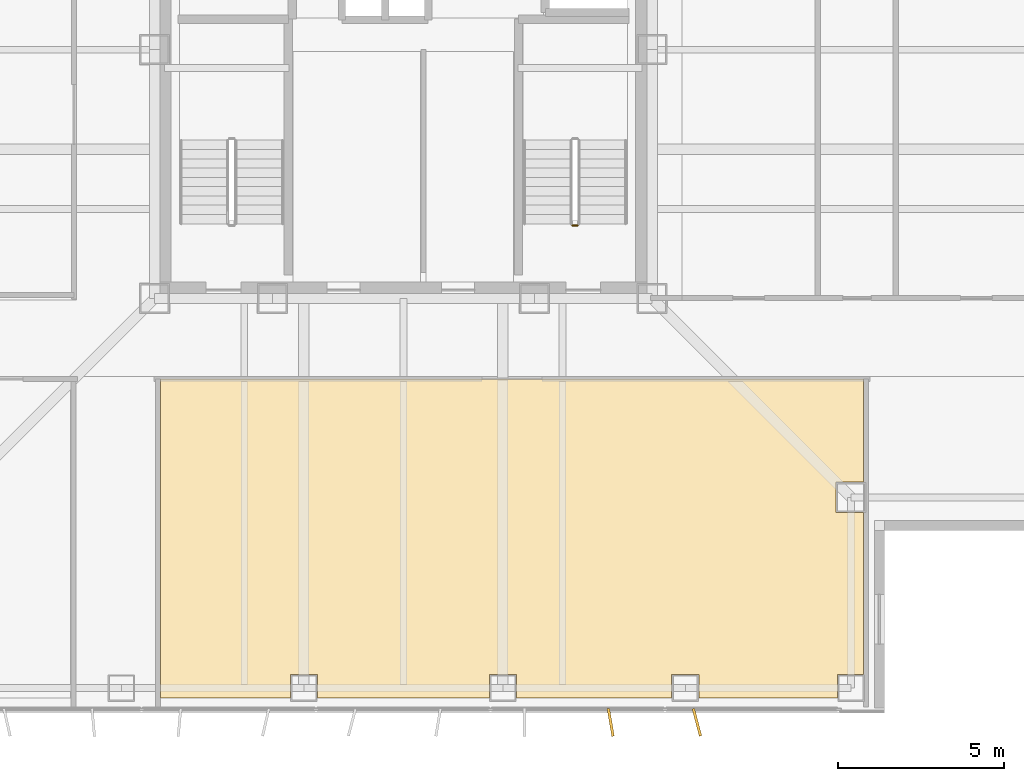
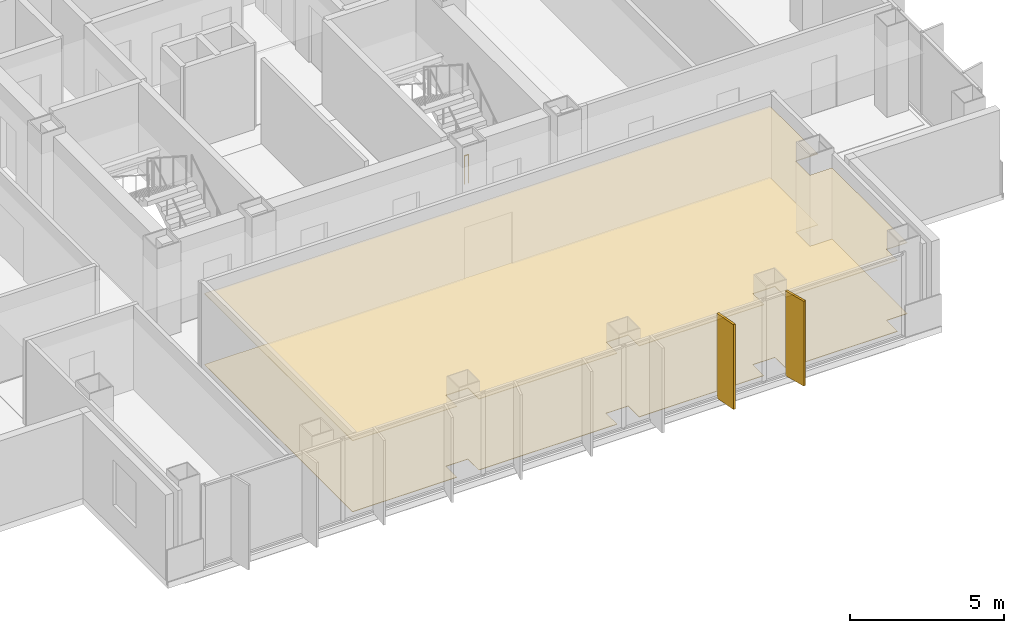
# One storey, part 13 of 17: 2 coverings, 2 shading devices, 1 railing.
"""IFC4 building model written with IfcOpenShell, lengths in metres."""

from ifc_helpers import new_model, si_unit, direction, frame, origin, origin_2d, place, context, subcontext, project, spatial, polyline, rectangle, circle, outline, extrude, material, layer, layer_set, type_object, element, save


model = new_model("IFC4")

# Units and contexts
model_context = context("Model", 3, precision=1e-05, world=origin(), true_north=direction((0.0, 1.0)))
body_context = subcontext(model_context, "Body", "Model", "MODEL_VIEW")
ifc_project = project(units=[si_unit("LENGTHUNIT", "METRE"), si_unit("AREAUNIT", "SQUARE_METRE"), si_unit("VOLUMEUNIT", "CUBIC_METRE"), si_unit("PLANEANGLEUNIT", "RADIAN"), si_unit("MASSUNIT", "GRAM", prefix="KILO")], contexts=[model_context])

# Site, building, storey
site_placement = place(None, origin())
site = spatial("IfcSite", under=ifc_project, at=site_placement, CompositionType="ELEMENT")
building_placement = place(site_placement, origin())
building = spatial("IfcBuilding", under=site, at=building_placement, Name="Trevonay Congress Spire", CompositionType="ELEMENT")
storey_placement = place(building_placement, frame((0.0, 0.0, 184.199951171875)))
storey = spatial("IfcBuildingStorey", under=building, at=storey_placement, Name="L47", CompositionType="ELEMENT", Elevation=184.199951171875)

# Coverings
ifc_material_1 = material(Name="Acoustic Mineral Fibre Board", Category="gypsum")
ifc_layer_1 = layer(ifc_material_1, 0.02490234375, Name="Acoustic Mineral Fibre Board")
ifc_layer_set_1 = layer_set([ifc_layer_1], Name="Acoustic Mineral Fibre Board")
covering_type_1 = type_object("IfcCoveringType", Name="COV-CEIL-ACOUSTIC", PredefinedType="CEILING", material=ifc_layer_set_1)
covering_1_placement = place(storey_placement, frame((0.0, 0.0, 2.81005859375)))
element("IfcCovering", 1, at=covering_1_placement, inside=storey, type_object=covering_type_1, Name="L47 Grand International Arbitration Hearing Hall acoustic suspended ceiling", PredefinedType="CEILING", context=body_context, shape_type="SweptSolid", body=[
    extrude(outline(polyline([(-7.320068359375, -19.550048828125), (-7.320068359375, -9.929931640625), (13.8701171875, -9.929931640625), (13.8701171875, -13.0400390625), (13.0400390625, -13.0400390625), (13.0400390625, -13.9599609375), (13.8701171875, -13.9599609375), (13.8701171875, -18.840087890625), (13.090087890625, -18.840087890625), (13.090087890625, -19.550048828125), (8.909912109375, -19.550048828125), (8.909912109375, -18.840087890625), (8.090087890625, -18.840087890625), (8.090087890625, -19.550048828125), (3.409912109375, -19.550048828125), (3.409912109375, -18.840087890625), (2.590087890625, -18.840087890625), (2.590087890625, -19.550048828125), (-2.590087890625, -19.550048828125), (-2.590087890625, -18.840087890625), (-3.409912109375, -18.840087890625), (-3.409912109375, -19.550048828125), (-7.320068359375, -19.550048828125)])), origin(), (0.0, 0.0, 1.0), 0.02490234375),
])
ifc_material_2 = material(Name="Engineered Oak Flooring", Category="wood")
ifc_layer_2 = layer(ifc_material_2, 0.01806640625, Name="Engineered Oak Flooring")
ifc_layer_set_2 = layer_set([ifc_layer_2], Name="Engineered Oak Flooring")
covering_type_2 = type_object("IfcCoveringType", Name="COV-FLOOR-TIMBER", PredefinedType="FLOORING", material=ifc_layer_set_2)
covering_2_placement = place(storey_placement, origin())
element("IfcCovering", 2, at=covering_2_placement, inside=storey, type_object=covering_type_2, Name="L47 Grand International Arbitration Hearing Hall floor finish", PredefinedType="FLOORING", context=body_context, shape_type="SweptSolid", body=[
    extrude(outline(polyline([(-7.320068359375, -19.550048828125), (-7.320068359375, -9.929931640625), (13.8701171875, -9.929931640625), (13.8701171875, -13.0400390625), (13.0400390625, -13.0400390625), (13.0400390625, -13.9599609375), (13.8701171875, -13.9599609375), (13.8701171875, -18.840087890625), (13.090087890625, -18.840087890625), (13.090087890625, -19.550048828125), (8.909912109375, -19.550048828125), (8.909912109375, -18.840087890625), (8.090087890625, -18.840087890625), (8.090087890625, -19.550048828125), (3.409912109375, -19.550048828125), (3.409912109375, -18.840087890625), (2.590087890625, -18.840087890625), (2.590087890625, -19.550048828125), (-2.590087890625, -19.550048828125), (-2.590087890625, -18.840087890625), (-3.409912109375, -18.840087890625), (-3.409912109375, -19.550048828125), (-7.320068359375, -19.550048828125)])), origin(), (0.0, 0.0, 1.0), 0.01806640625),
])

# Railing
ifc_material_3 = material(Name="Pale Anodised Aluminium EN AW-6063-T6", Category="aluminium")
railing_type = type_object("IfcRailingType", Name="RAL-STAIR-GUARD-110", PredefinedType="GUARDRAIL", material=ifc_material_3)
railing_placement = place(storey_placement, frame((5.25, -5.300048828125, 0.0)))
element("IfcRailing", 3, at=railing_placement, inside=storey, type_object=railing_type, Name="L47 ST-2 stair guard 4", PredefinedType="GUARDRAIL", context=body_context, shape_type="SweptSolid", body=[
    extrude(circle(Radius=0.02392578125, at=origin_2d()), frame((0.0, 0.0, 1.1259765625), z_axis=(-1.0, 0.0, 0.0), x_axis=(0.0, -1.0, 0.0)), (0.0, 0.0, 1.0), 0.14990234375),
    extrude(circle(Radius=0.02099609375, at=origin_2d()), origin(), (0.0, 0.0, 1.0), 1.101806640625),
    extrude(circle(Radius=0.02099609375, at=origin_2d()), frame((-0.14990234375, 0.0, 0.0)), (0.0, 0.0, 1.0), 1.101806640625),
])

# Shading devices
shading_device_type = type_object("IfcShadingDeviceType", Name="SHD-FIN-Z3-PALE-METAL", PredefinedType="USERDEFINED", material=ifc_material_3)
for number, where, z_axis, x_axis, name in (
    (4, (6.25, -20.280029296875, 0.0), (0.0, 0.0, 1.0), (0.98587937025, 0.16745706111, 0.0), "L47 S vertical pale-metal solar fin 8"),
    (5, (8.85009765625, -20.280029296875, 0.0), (0.0, 0.0, 1.0), (0.966957007154, 0.2549394954, 0.0), "L47 S vertical pale-metal solar fin 9"),
):
    element("IfcShadingDevice", number, at=place(storey_placement, frame(where, z_axis=z_axis, x_axis=x_axis)), inside=storey, type_object=shading_device_type, Name=name, ObjectType="SOLAR FIN", PredefinedType="USERDEFINED", context=body_context, shape_type="SweptSolid", body=[
        extrude(rectangle(XDim=0.080078125, YDim=0.85009765625, at=origin_2d()), origin(), (0.0, 0.0, 1.0), 3.360107421875),
    ])

save(model, "model.ifc")
